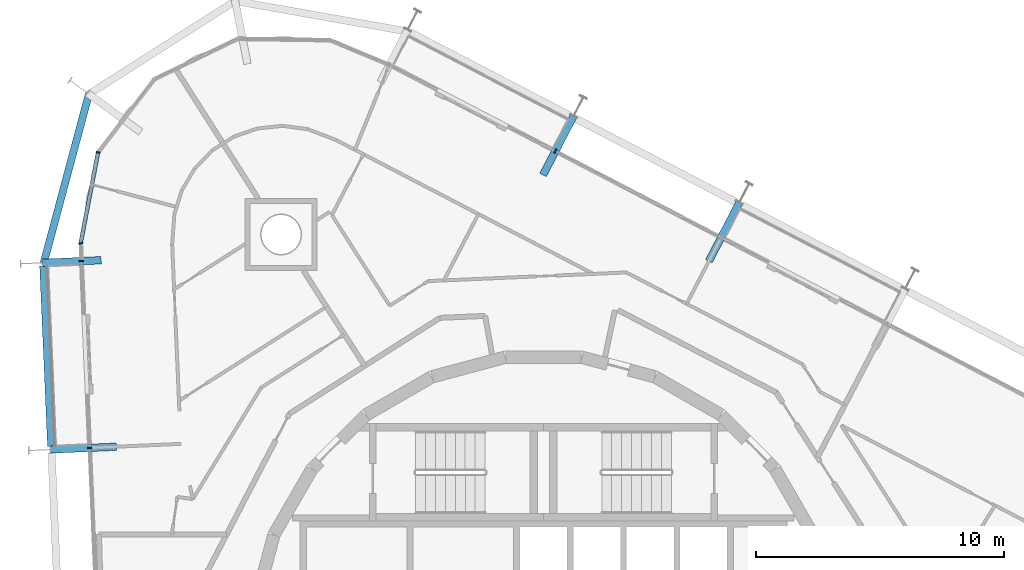
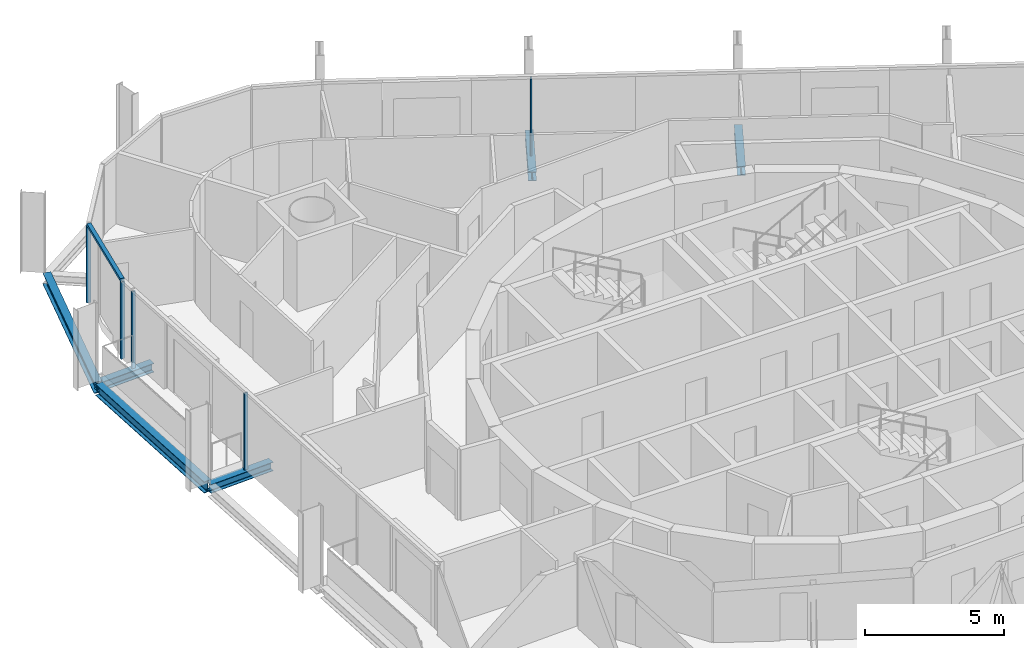
# One storey, part 6 of 18: 6 beams, 6 members, 3 elements without a shape of their own.
"""IFC4 building model written with IfcOpenShell, lengths in metres."""

from ifc_helpers import new_model, si_unit, direction, frame, origin, origin_2d, place, context, subcontext, project, spatial, rectangle, i_section, extrude, material, layer, layer_set, material_profile, profile_set, type_object, element, aggregate, save


model = new_model("IFC4")

# Units and contexts
model_context = context("Model", 3, precision=1e-05, world=origin(), true_north=direction((0.0, 1.0)))
body_context = subcontext(model_context, "Body", "Model", "MODEL_VIEW")
ifc_project = project(units=[si_unit("LENGTHUNIT", "METRE"), si_unit("AREAUNIT", "SQUARE_METRE"), si_unit("VOLUMEUNIT", "CUBIC_METRE"), si_unit("PLANEANGLEUNIT", "RADIAN"), si_unit("MASSUNIT", "GRAM", prefix="KILO")], contexts=[model_context])

# Site, building, storey
site_placement = place(None, origin())
site = spatial("IfcSite", under=ifc_project, at=site_placement, CompositionType="ELEMENT")
building_placement = place(site_placement, origin())
building = spatial("IfcBuilding", under=site, at=building_placement, Name="Spindle Arch Residences", CompositionType="ELEMENT")
storey_placement = place(building_placement, frame((0.0, 0.0, 233.699951171875)))
storey = spatial("IfcBuildingStorey", under=building, at=storey_placement, Name="L59", CompositionType="ELEMENT", Elevation=233.699951171875)

# Curtain wall, member
ifc_material_1 = material(Name="Aluminium bronze unitised frame with tinted glass", Category="aluminium")
ifc_layer_1 = layer(ifc_material_1, 0.159912109375)
ifc_layer_set_1 = layer_set([ifc_layer_1], Name="CW-C typical residential unitised wall")
curtain_wall_type_1 = type_object("IfcCurtainWallType", Name="CW-C typical residential unitised wall", PredefinedType="NOTDEFINED", material=ifc_layer_set_1)
curtain_wall_1_placement = place(storey_placement, origin())
curtain_wall_1 = element("IfcCurtainWall", 1, at=curtain_wall_1_placement, inside=storey, type_object=curtain_wall_type_1, Name="CW-C L59 run 2", PredefinedType="NOTDEFINED")
ifc_material_2 = material(Name="Aluminium bronze anodised mullion", Category="aluminium")
ifc_material_profile_1 = material_profile(ifc_material_2, rectangle(XDim=0.159912109375, YDim=0.06005859375, at=origin_2d()), Name="MU 60x160")
ifc_profile_set_1 = profile_set([ifc_material_profile_1], Name="Aluminium bronze anodised mullion")
member_type_1 = type_object("IfcMemberType", Name="Bronze mullion 60x160", PredefinedType="MULLION", material=ifc_profile_set_1)
member_1_placement = place(storey_placement, frame((0.4794921875, 19.94677734375, -0.3798828125), z_axis=(0.0, 0.0, 1.0), x_axis=(-0.461748613235, -0.887010833178, 0.0)))
member_1 = element("IfcMember", 2, at=member_1_placement, type_object=member_type_1, Name="CW-C mullion 08", PredefinedType="MULLION", context=body_context, shape_type="SweptSolid", body=[
    extrude(rectangle(XDim=0.159912109375, YDim=0.06005859375, at=origin_2d()), origin(), (0.0, 0.0, 1.0), 3.3798828125),
])
aggregate(curtain_wall_1, [member_1])

# Curtain wall, members
ifc_material_3 = material(Name="Aluminium bronze unitised frame with tinted glass", Category="aluminium")
ifc_layer_2 = layer(ifc_material_3, 0.159912109375)
ifc_layer_set_2 = layer_set([ifc_layer_2], Name="CW-D corner wall on the fillet arcs")
curtain_wall_type_2 = type_object("IfcCurtainWallType", Name="CW-D corner wall on the fillet arcs", PredefinedType="NOTDEFINED", material=ifc_layer_set_2)
curtain_wall_2_placement = place(storey_placement, origin())
curtain_wall_2 = element("IfcCurtainWall", 3, at=curtain_wall_2_placement, inside=storey, type_object=curtain_wall_type_2, Name="CW-D L59 run 3", PredefinedType="NOTDEFINED")
member_2_placement = place(storey_placement, frame((-17.93994140625, 19.896240234375, -0.3798828125), z_axis=(0.0, 0.0, 1.0), x_axis=(0.982178070104, -0.187952756314, 0.0)))
member_2 = element("IfcMember", 4, at=member_2_placement, type_object=member_type_1, Name="CW-D mullion 04", PredefinedType="MULLION", context=body_context, shape_type="SweptSolid", body=[
    extrude(rectangle(XDim=0.159912109375, YDim=0.06005859375, at=origin_2d()), origin(), (0.0, 0.0, 1.0), 3.3798828125),
])
member_3_placement = place(storey_placement, frame((-18.640380859375, 16.236083984375, -0.3798828125), z_axis=(0.0, 0.0, 1.0), x_axis=(0.999048221582, 0.043619387365, 0.0)))
member_3 = element("IfcMember", 5, at=member_3_placement, type_object=member_type_1, Name="CW-D mullion 05", PredefinedType="MULLION", context=body_context, shape_type="SweptSolid", body=[
    extrude(rectangle(XDim=0.159912109375, YDim=0.06005859375, at=origin_2d()), origin(), (0.0, 0.0, 1.0), 3.3798828125),
])

curtain_wall_3_placement = place(storey_placement, origin())
curtain_wall_3 = element("IfcCurtainWall", 6, at=curtain_wall_3_placement, inside=storey, type_object=curtain_wall_type_1, Name="CW-C L59 run 4", PredefinedType="NOTDEFINED")
member_4_placement = place(storey_placement, frame((-18.60888671875, 15.518310546875, -0.3798828125), z_axis=(0.0, 0.0, 1.0), x_axis=(0.999048221582, 0.043619387365, 0.0)))
member_4 = element("IfcMember", 7, at=member_4_placement, type_object=member_type_1, Name="CW-C mullion 12", PredefinedType="MULLION", context=body_context, shape_type="SweptSolid", body=[
    extrude(rectangle(XDim=0.159912109375, YDim=0.06005859375, at=origin_2d()), origin(), (0.0, 0.0, 1.0), 3.3798828125),
])
member_5_placement = place(storey_placement, frame((-18.280517578125, 7.995361328125, -0.3798828125), z_axis=(0.0, 0.0, 1.0), x_axis=(0.999048221582, 0.043619387365, 0.0)))
member_5 = element("IfcMember", 8, at=member_5_placement, type_object=member_type_1, Name="CW-C mullion 13", PredefinedType="MULLION", context=body_context, shape_type="SweptSolid", body=[
    extrude(rectangle(XDim=0.159912109375, YDim=0.06005859375, at=origin_2d()), origin(), (0.0, 0.0, 1.0), 3.3798828125),
])
aggregate(curtain_wall_3, [member_4, member_5])

# Member
ifc_material_4 = material(Name="Aluminium bronze anodised transom", Category="aluminium")
ifc_material_profile_2 = material_profile(ifc_material_4, rectangle(XDim=0.159912109375, YDim=0.1201171875, at=origin_2d()), Name="TR 120x160")
ifc_profile_set_2 = profile_set([ifc_material_profile_2], Name="Aluminium bronze anodised transom")
member_type_2 = type_object("IfcMemberType", Name="Bronze transom 120x160", PredefinedType="USERDEFINED", material=ifc_profile_set_2)
member_6_placement = place(storey_placement, frame((-17.945556640625, 19.866943359375, 3.06005859375), z_axis=(-0.187953386096, -0.982177949587, 0.0), x_axis=(0.982177949587, -0.187953386096, 0.0)))
member_6 = element("IfcMember", 9, at=member_6_placement, type_object=member_type_2, Name="CW-D transom 04", ObjectType="TRANSOM", PredefinedType="USERDEFINED", context=body_context, shape_type="SweptSolid", body=[
    extrude(rectangle(XDim=0.159912109375, YDim=0.1201171875, at=origin_2d()), origin(), (0.0, 0.0, 1.0), 3.6669921875),
])

aggregate(curtain_wall_2, [member_2, member_6, member_3])

# Beams
ifc_material_5 = material(Name="Steel S460ML, intumescent coating R 120", Category="steel")
ifc_material_profile_3 = material_profile(ifc_material_5, i_section(OverallWidth=0.300048828125, OverallDepth=0.5, WebThickness=0.014404296875, FlangeThickness=0.028076171875, FilletRadius=0.027099609375, at=origin_2d()), Name="HEB 500")
ifc_profile_set_3 = profile_set([ifc_material_profile_3], Name="Steel S460ML, intumescent coating R 120")
beam_type_1 = type_object("IfcBeamType", Name="Exoskeleton edge beam HEB 500", PredefinedType="BEAM", material=ifc_profile_set_3)
beam_1_placement = place(storey_placement, frame((-18.298583984375, 22.28076171875, -0.6298828125), z_axis=(-0.25832557076, -0.966057917255, 0.0), x_axis=(0.966057917255, -0.25832557076, 0.0)))
element("IfcBeam", 10, at=beam_1_placement, inside=storey, type_object=beam_type_1, Name="Exoskeleton edge beam 12", PredefinedType="BEAM", context=body_context, shape_type="SweptSolid", body=[
    extrude(i_section(OverallWidth=0.300048828125, OverallDepth=0.5, WebThickness=0.014404296875, FlangeThickness=0.028076171875, FilletRadius=0.027099609375, at=origin_2d()), origin(), (0.0, 0.0, 1.0), 7.105224609375),
])
beam_2_placement = place(storey_placement, frame((-20.141845703125, 15.3212890625, -0.6298828125), z_axis=(0.043622301665, -0.999048094337, 0.0), x_axis=(0.999048094337, 0.043622301665, 0.0)))
element("IfcBeam", 11, at=beam_2_placement, inside=storey, type_object=beam_type_1, Name="Exoskeleton edge beam 13", PredefinedType="BEAM", context=body_context, shape_type="SweptSolid", body=[
    extrude(i_section(OverallWidth=0.300048828125, OverallDepth=0.5, WebThickness=0.014404296875, FlangeThickness=0.028076171875, FilletRadius=0.027099609375, at=origin_2d()), origin(), (0.0, 0.0, 1.0), 7.27001953125),
])
ifc_material_6 = material(Name="Steel S460ML, intumescent coating R 120", Category="steel")
ifc_material_profile_4 = material_profile(ifc_material_6, i_section(OverallWidth=0.300048828125, OverallDepth=0.389892578125, WebThickness=0.010986328125, FlangeThickness=0.01904296875, FilletRadius=0.027099609375, at=origin_2d()), Name="HEA 400")
ifc_profile_set_4 = profile_set([ifc_material_profile_4], Name="Steel S460ML, intumescent coating R 120")
beam_type_2 = type_object("IfcBeamType", Name="Floor outrigger HEA 400", PredefinedType="BEAM", material=ifc_profile_set_4)
for number, where, z_axis, x_axis, name in (
    (12, (7.883544921875, 17.8623046875, -0.574951171875), (-0.461747195222, -0.887011571348, 0.0), (0.887011571348, -0.461747195222, 0.0), "Floor outrigger 8"),
    (13, (1.204345703125, 21.33935546875, -0.574951171875), (-0.461747195222, -0.887011571348, 0.0), (0.887011571348, -0.461747195222, 0.0), "Floor outrigger 9"),
):
    element("IfcBeam", number, at=place(storey_placement, frame(where, z_axis=z_axis, x_axis=x_axis)), inside=storey, type_object=beam_type_2, Name=name, PredefinedType="BEAM", context=body_context, shape_type="SweptSolid", body=[
        extrude(i_section(OverallWidth=0.300048828125, OverallDepth=0.389892578125, WebThickness=0.010986328125, FlangeThickness=0.01904296875, FilletRadius=0.027099609375, at=origin_2d()), origin(), (0.0, 0.0, 1.0), 2.64990234375),
    ])
beam_3_placement = place(storey_placement, frame((-20.177490234375, 15.44970703125, -0.574951171875), z_axis=(0.999047575201, 0.043634189397, 0.0), x_axis=(-0.043634189397, 0.999047575201, 0.0)))
element("IfcBeam", 14, at=beam_3_placement, inside=storey, type_object=beam_type_2, Name="Floor outrigger 13", PredefinedType="BEAM", context=body_context, shape_type="SweptSolid", body=[
    extrude(i_section(OverallWidth=0.300048828125, OverallDepth=0.389892578125, WebThickness=0.010986328125, FlangeThickness=0.01904296875, FilletRadius=0.027099609375, at=origin_2d()), origin(), (0.0, 0.0, 1.0), 2.36669921875),
])
beam_4_placement = place(storey_placement, frame((-19.84912109375, 7.9267578125, -0.574951171875), z_axis=(0.999046049411, 0.043669109869, 0.0), x_axis=(-0.043669109869, 0.999046049411, 0.0)))
element("IfcBeam", 15, at=beam_4_placement, inside=storey, type_object=beam_type_2, Name="Floor outrigger 14", PredefinedType="BEAM", context=body_context, shape_type="SweptSolid", body=[
    extrude(i_section(OverallWidth=0.300048828125, OverallDepth=0.389892578125, WebThickness=0.010986328125, FlangeThickness=0.01904296875, FilletRadius=0.027099609375, at=origin_2d()), origin(), (0.0, 0.0, 1.0), 2.64990234375),
])

save(model, "model.ifc")
